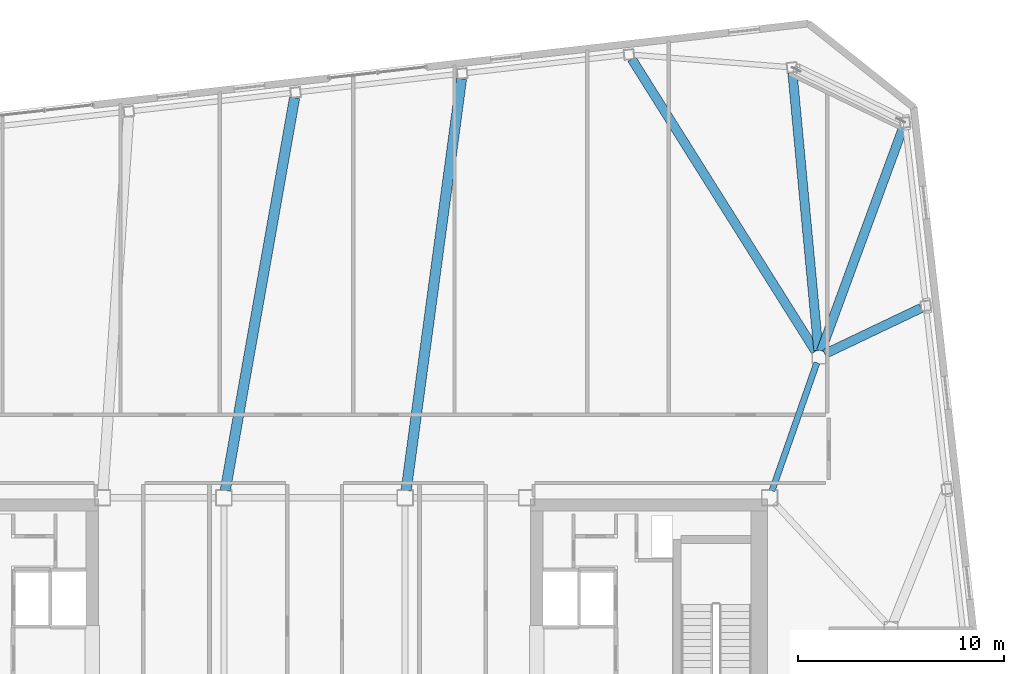
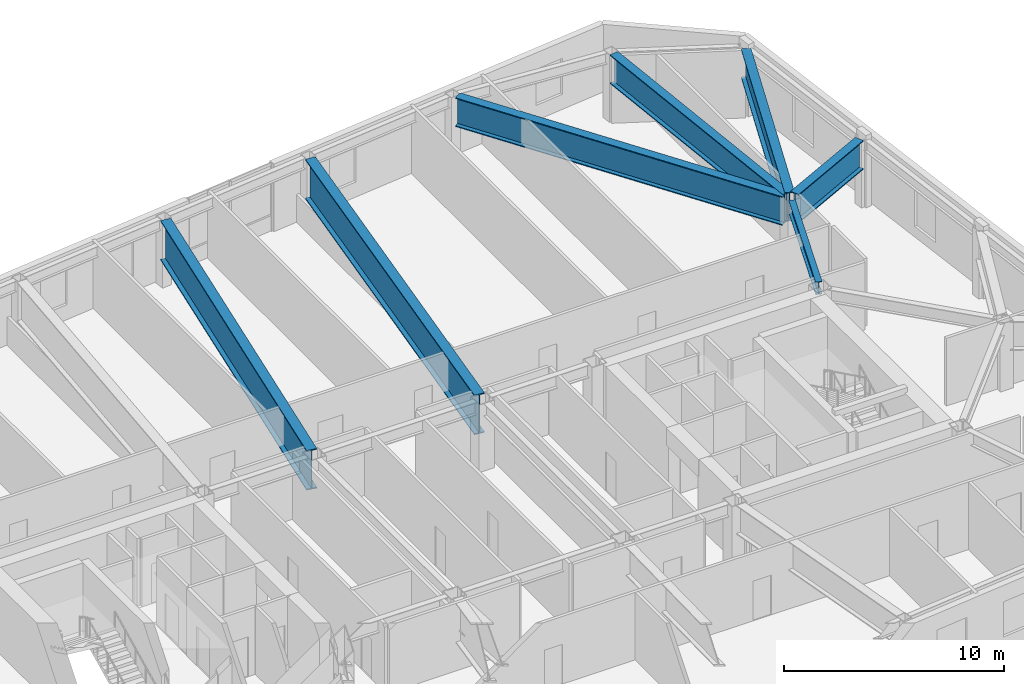
# One storey, part 8 of 18: 7 beams.
"""IFC4 building model written with IfcOpenShell, lengths in metres."""

from ifc_helpers import new_model, si_unit, direction, frame, origin, origin_2d, place, context, subcontext, project, spatial, i_section, extrude, material, material_profile, profile_set, type_object, element, save


model = new_model("IFC4")

# Units and contexts
model_context = context("Model", 3, precision=1e-05, world=origin(), true_north=direction((0.0, 1.0)))
body_context = subcontext(model_context, "Body", "Model", "MODEL_VIEW")
ifc_project = project(units=[si_unit("LENGTHUNIT", "METRE"), si_unit("AREAUNIT", "SQUARE_METRE"), si_unit("VOLUMEUNIT", "CUBIC_METRE"), si_unit("PLANEANGLEUNIT", "RADIAN"), si_unit("MASSUNIT", "GRAM", prefix="KILO")], contexts=[model_context])

# Site, building, storey
site_placement = place(None, origin())
site = spatial("IfcSite", under=ifc_project, at=site_placement, CompositionType="ELEMENT")
building_placement = place(site_placement, origin())
building = spatial("IfcBuilding", under=site, at=building_placement, Name="Tavrogorsk Clinical Tower", CompositionType="ELEMENT")
storey_placement = place(building_placement, frame((0.0, 0.0, 222.199951171875)))
storey = spatial("IfcBuildingStorey", under=building, at=storey_placement, Name="L51", CompositionType="ELEMENT", Elevation=222.199951171875)

# Beams
ifc_material_1 = material(Name="Structural steel S390", Category="steel")
ifc_material_profile_1 = material_profile(ifc_material_1, i_section(OverallWidth=0.300048828125, OverallDepth=0.699951171875, WebThickness=0.01708984375, FlangeThickness=0.028076171875, at=origin_2d()), Name="B-700x300x17x28")
ifc_profile_set_1 = profile_set([ifc_material_profile_1], Name="Structural steel S390")
beam_type_1 = type_object("IfcBeamType", Name="PrimaryGirder_B700", PredefinedType="USERDEFINED", material=ifc_profile_set_1)
beam_1_placement = place(storey_placement, frame((24.3974609375, 12.907470703125, 3.39013671875), z_axis=(-0.330654121425, -0.943752007672, 0.0), x_axis=(0.943752007672, -0.330654121425, 0.0)))
element("IfcBeam", 1, at=beam_1_placement, inside=storey, type_object=beam_type_1, Name="L51 Spine Link Girder OPG-4", ObjectType="GIRDER", PredefinedType="USERDEFINED", context=body_context, shape_type="SweptSolid", body=[
    extrude(i_section(OverallWidth=0.300048828125, OverallDepth=0.699951171875, WebThickness=0.01708984375, FlangeThickness=0.028076171875, at=origin_2d()), origin(), (0.0, 0.0, 1.0), 6.58837890625),
])
ifc_material_2 = material(Name="Structural steel S440", Category="steel")
ifc_material_profile_2 = material_profile(ifc_material_2, i_section(OverallWidth=0.449951171875, OverallDepth=1.60009765625, WebThickness=0.031982421875, FlangeThickness=0.050048828125, at=origin_2d()), Name="DK-1600x450x32x50")
ifc_profile_set_2 = profile_set([ifc_material_profile_2], Name="Structural steel S440")
beam_type_2 = type_object("IfcBeamType", Name="TransferGirder_DK1600", PredefinedType="USERDEFINED", material=ifc_profile_set_2)
beam_2_placement = place(storey_placement, frame((24.47119140625, 13.508544921875, 2.93994140625), z_axis=(-0.092940409745, 0.99567167291, 0.0), x_axis=(-0.99567167291, -0.092940409745, 0.0)))
element("IfcBeam", 2, at=beam_2_placement, inside=storey, type_object=beam_type_2, Name="L51 Radial Floor Beam N1", ObjectType="GIRDER", PredefinedType="USERDEFINED", context=body_context, shape_type="SweptSolid", body=[
    extrude(i_section(OverallWidth=0.449951171875, OverallDepth=1.60009765625, WebThickness=0.031982421875, FlangeThickness=0.050048828125, at=origin_2d()), origin(), (0.0, 0.0, 1.0), 13.546630859375),
])
beam_3_placement = place(storey_placement, frame((24.3349609375, 13.46240234375, 2.93994140625), z_axis=(-0.53234144439, 0.84652973166, 0.0), x_axis=(-0.84652973166, -0.53234144439, 0.0)))
element("IfcBeam", 3, at=beam_3_placement, inside=storey, type_object=beam_type_2, Name="L51 Radial Floor Beam N2", ObjectType="GIRDER", PredefinedType="USERDEFINED", context=body_context, shape_type="SweptSolid", body=[
    extrude(i_section(OverallWidth=0.449951171875, OverallDepth=1.60009765625, WebThickness=0.031982421875, FlangeThickness=0.050048828125, at=origin_2d()), origin(), (0.0, 0.0, 1.0), 16.7734375),
])
beam_4_placement = place(storey_placement, frame((24.77978515625, 13.333251953125, 2.93994140625), z_axis=(0.90270896244, 0.43025170439, 0.0), x_axis=(-0.43025170439, 0.90270896244, 0.0)))
element("IfcBeam", 4, at=beam_4_placement, inside=storey, type_object=beam_type_2, Name="L51 Radial Floor Beam E4", ObjectType="GIRDER", PredefinedType="USERDEFINED", context=body_context, shape_type="SweptSolid", body=[
    extrude(i_section(OverallWidth=0.449951171875, OverallDepth=1.60009765625, WebThickness=0.031982421875, FlangeThickness=0.050048828125, at=origin_2d()), origin(), (0.0, 0.0, 1.0), 5.182861328125),
])
beam_5_placement = place(storey_placement, frame((24.60693359375, 13.490966796875, 2.93994140625), z_axis=(0.34467380093, 0.938722520744, 0.0), x_axis=(-0.938722520744, 0.34467380093, 0.0)))
element("IfcBeam", 5, at=beam_5_placement, inside=storey, type_object=beam_type_2, Name="L51 Radial Floor Beam E5", ObjectType="GIRDER", PredefinedType="USERDEFINED", context=body_context, shape_type="SweptSolid", body=[
    extrude(i_section(OverallWidth=0.449951171875, OverallDepth=1.60009765625, WebThickness=0.031982421875, FlangeThickness=0.050048828125, at=origin_2d()), origin(), (0.0, 0.0, 1.0), 11.55126953125),
])
ifc_material_3 = material(Name="Structural steel S440", Category="steel")
ifc_material_profile_3 = material_profile(ifc_material_3, i_section(OverallWidth=0.5, OverallDepth=2.199951171875, WebThickness=0.035888671875, FlangeThickness=0.054931640625, at=origin_2d()), Name="DK-2200x500x36x55")
ifc_profile_set_3 = profile_set([ifc_material_profile_3], Name="Structural steel S440")
beam_type_3 = type_object("IfcBeamType", Name="TransferGirder_DK2200", PredefinedType="USERDEFINED", material=ifc_profile_set_3)
beam_6_placement = place(storey_placement, frame((4.447998046875, 6.706787109375, 2.64013671875), z_axis=(0.133328812355, 0.991071858039, 0.0), x_axis=(-0.991071858039, 0.133328812355, 0.0)))
element("IfcBeam", 6, at=beam_6_placement, inside=storey, type_object=beam_type_3, Name="L51 Radial Floor Beam N3", ObjectType="GIRDER", PredefinedType="USERDEFINED", context=body_context, shape_type="SweptSolid", body=[
    extrude(i_section(OverallWidth=0.5, OverallDepth=2.199951171875, WebThickness=0.035888671875, FlangeThickness=0.054931640625, at=origin_2d()), origin(), (0.0, 0.0, 1.0), 20.17529296875),
])
beam_7_placement = place(storey_placement, frame((-4.33740234375, 6.70458984375, 2.64013671875), z_axis=(0.173894614236, 0.984764267802, 0.0), x_axis=(-0.984764267802, 0.173894614236, 0.0)))
element("IfcBeam", 7, at=beam_7_placement, inside=storey, type_object=beam_type_3, Name="L51 Radial Floor Beam N4", ObjectType="GIRDER", PredefinedType="USERDEFINED", context=body_context, shape_type="SweptSolid", body=[
    extrude(i_section(OverallWidth=0.5, OverallDepth=2.199951171875, WebThickness=0.035888671875, FlangeThickness=0.054931640625, at=origin_2d()), origin(), (0.0, 0.0, 1.0), 19.371826171875),
])

save(model, "model.ifc")
